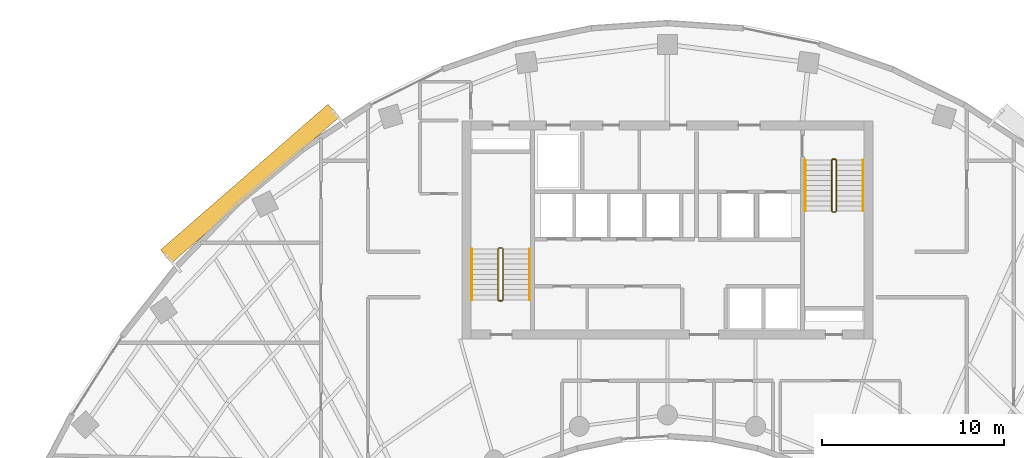
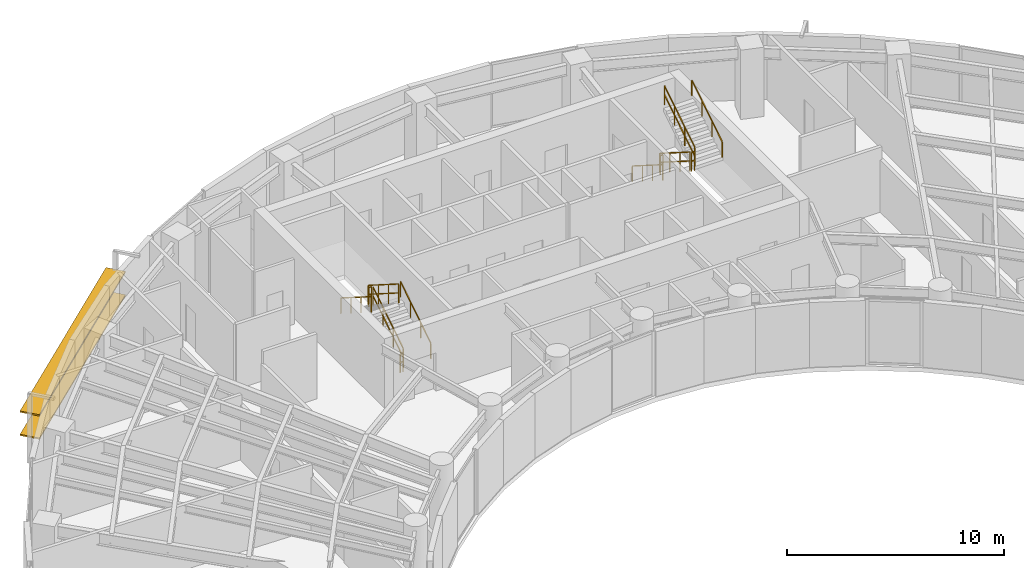
# One storey, part 12 of 13: 12 railings, 2 shading devices.
"""IFC4 building model written with IfcOpenShell, lengths in metres."""

from ifc_helpers import new_model, si_unit, direction, frame, origin, origin_2d, place, context, subcontext, project, spatial, rectangle, extrude, source, transform, mapped, material, material_profile, profile_set, type_object, type_shapes, element, save


model = new_model("IFC4")

# Units and contexts
model_context = context("Model", 3, precision=1e-05, world=origin(), true_north=direction((0.0, 1.0)))
body_context = subcontext(model_context, "Body", "Model", "MODEL_VIEW")
ifc_project = project(units=[si_unit("LENGTHUNIT", "METRE"), si_unit("AREAUNIT", "SQUARE_METRE"), si_unit("VOLUMEUNIT", "CUBIC_METRE"), si_unit("PLANEANGLEUNIT", "RADIAN"), si_unit("MASSUNIT", "GRAM", prefix="KILO")], contexts=[model_context])

# Site, building, storey
site_placement = place(None, origin())
site = spatial("IfcSite", under=ifc_project, at=site_placement, CompositionType="ELEMENT")
building_placement = place(site_placement, origin())
building = spatial("IfcBuilding", under=site, at=building_placement, Name="Breltana Convention Tower", CompositionType="ELEMENT")
storey_placement = place(building_placement, frame((0.0, 0.0, 170.10009765625)))
storey = spatial("IfcBuildingStorey", under=building, at=storey_placement, Name="L41", CompositionType="ELEMENT", Elevation=170.10009765625)

# Railings
ifc_material_1 = material(Name="Steel S275 Painted", Category="steel")
railing_type_1 = type_object("IfcRailingType", Name="RL-STAIR-GUARD-1100", PredefinedType="GUARDRAIL", material=ifc_material_1)
railing_1_placement = place(storey_placement, frame((38.9599609375, 62.360107421875, 0.17724609375)))
element("IfcRailing", 1, at=railing_1_placement, inside=storey, type_object=railing_type_1, Name="L41 ST-1 stair guard 1", PredefinedType="GUARDRAIL", context=body_context, shape_type="SweptSolid", body=[
    extrude(rectangle(XDim=0.048095703125, YDim=0.048095703125, at=origin_2d()), frame((0.0, 0.0, 1.076171875), z_axis=(0.0, 0.844887892834, 0.53494340686), x_axis=(-1.0, 0.0, 0.0)), (0.0, 0.0, 1.0), 3.313720703125),
    extrude(rectangle(XDim=0.048095703125, YDim=0.048095703125, at=origin_2d()), frame((0.0, 0.0, 0.572021484375), z_axis=(0.0, 0.844887892834, 0.53494340686), x_axis=(-1.0, 0.0, 0.0)), (0.0, 0.0, 1.0), 3.313720703125),
    extrude(rectangle(XDim=0.0419921875, YDim=0.0419921875, at=origin_2d()), origin(), (0.0, 0.0, 1.0), 1.052001953125),
    extrude(rectangle(XDim=0.0419921875, YDim=0.0419921875, at=origin_2d()), frame((0.0, 0.933349609375, 0.5908203125)), (0.0, 0.0, 1.0), 1.052001953125),
    extrude(rectangle(XDim=0.0419921875, YDim=0.0419921875, at=origin_2d()), frame((0.0, 1.866455078125, 1.181884765625)), (0.0, 0.0, 1.0), 1.052001953125),
    extrude(rectangle(XDim=0.0419921875, YDim=0.0419921875, at=origin_2d()), frame((0.0, 2.7998046875, 1.772705078125)), (0.0, 0.0, 1.0), 1.052001953125),
])
railing_2_placement = place(storey_placement, frame((38.909912109375, 65.2099609375, 1.949951171875)))
element("IfcRailing", 2, at=railing_2_placement, inside=storey, type_object=railing_type_1, Name="L41 ST-1 stair guard 2", PredefinedType="GUARDRAIL", context=body_context, shape_type="SweptSolid", body=[
    extrude(rectangle(XDim=0.048095703125, YDim=0.048095703125, at=origin_2d()), frame((0.0, 0.0, 1.076171875), z_axis=(-1.0, 0.0, 0.0), x_axis=(0.0, -1.0, 0.0)), (0.0, 0.0, 1.0), 0.14990234375),
    extrude(rectangle(XDim=0.048095703125, YDim=0.048095703125, at=origin_2d()), frame((0.0, 0.0, 0.572021484375), z_axis=(-1.0, 0.0, 0.0), x_axis=(0.0, -1.0, 0.0)), (0.0, 0.0, 1.0), 0.14990234375),
    extrude(rectangle(XDim=0.0419921875, YDim=0.0419921875, at=origin_2d()), origin(), (0.0, 0.0, 1.0), 1.052001953125),
    extrude(rectangle(XDim=0.0419921875, YDim=0.0419921875, at=origin_2d()), frame((-0.14990234375, 0.0, 0.0)), (0.0, 0.0, 1.0), 1.052001953125),
])
railing_3_placement = place(storey_placement, frame((38.7099609375, 65.159912109375, 2.127197265625)))
element("IfcRailing", 3, at=railing_3_placement, inside=storey, type_object=railing_type_1, Name="L41 ST-1 stair guard 3", PredefinedType="GUARDRAIL", context=body_context, shape_type="SweptSolid", body=[
    extrude(rectangle(XDim=0.048095703125, YDim=0.048095703125, at=origin_2d()), frame((0.0, 0.0, 1.076171875), z_axis=(0.0, -0.844887892834, 0.53494340686), x_axis=(1.0, 0.0, 0.0)), (0.0, 0.0, 1.0), 3.313720703125),
    extrude(rectangle(XDim=0.048095703125, YDim=0.048095703125, at=origin_2d()), frame((0.0, 0.0, 0.572021484375), z_axis=(0.0, -0.844887892834, 0.53494340686), x_axis=(1.0, 0.0, 0.0)), (0.0, 0.0, 1.0), 3.313720703125),
    extrude(rectangle(XDim=0.0419921875, YDim=0.0419921875, at=origin_2d()), origin(), (0.0, 0.0, 1.0), 1.052001953125),
    extrude(rectangle(XDim=0.0419921875, YDim=0.0419921875, at=origin_2d()), frame((0.0, -0.933349609375, 0.5908203125)), (0.0, 0.0, 1.0), 1.052001953125),
    extrude(rectangle(XDim=0.0419921875, YDim=0.0419921875, at=origin_2d()), frame((0.0, -1.866455078125, 1.181884765625)), (0.0, 0.0, 1.0), 1.052001953125),
    extrude(rectangle(XDim=0.0419921875, YDim=0.0419921875, at=origin_2d()), frame((0.0, -2.7998046875, 1.772705078125)), (0.0, 0.0, 1.0), 1.052001953125),
])
railing_4_placement = place(storey_placement, frame((38.909912109375, 62.31005859375, 0.0)))
element("IfcRailing", 4, at=railing_4_placement, inside=storey, type_object=railing_type_1, Name="L41 ST-1 stair guard 4", PredefinedType="GUARDRAIL", context=body_context, shape_type="SweptSolid", body=[
    extrude(rectangle(XDim=0.048095703125, YDim=0.048095703125, at=origin_2d()), frame((0.0, 0.0, 1.076171875), z_axis=(-1.0, 0.0, 0.0), x_axis=(0.0, -1.0, 0.0)), (0.0, 0.0, 1.0), 0.14990234375),
    extrude(rectangle(XDim=0.048095703125, YDim=0.048095703125, at=origin_2d()), frame((0.0, 0.0, 0.572021484375), z_axis=(-1.0, 0.0, 0.0), x_axis=(0.0, -1.0, 0.0)), (0.0, 0.0, 1.0), 0.14990234375),
    extrude(rectangle(XDim=0.0419921875, YDim=0.0419921875, at=origin_2d()), origin(), (0.0, 0.0, 1.0), 1.052001953125),
    extrude(rectangle(XDim=0.0419921875, YDim=0.0419921875, at=origin_2d()), frame((-0.14990234375, 0.0, 0.0)), (0.0, 0.0, 1.0), 1.052001953125),
])
railing_5_placement = place(storey_placement, frame((57.0400390625, 70.0400390625, 0.17724609375)))
element("IfcRailing", 5, at=railing_5_placement, inside=storey, type_object=railing_type_1, Name="L41 ST-2 stair guard 1", PredefinedType="GUARDRAIL", context=body_context, shape_type="SweptSolid", body=[
    extrude(rectangle(XDim=0.048095703125, YDim=0.048095703125, at=origin_2d()), frame((0.0, 0.0, 1.076171875), z_axis=(0.0, -0.844908973607, 0.534910110503), x_axis=(1.0, 0.0, 0.0)), (0.0, 0.0, 1.0), 3.31396484375),
    extrude(rectangle(XDim=0.048095703125, YDim=0.048095703125, at=origin_2d()), frame((0.0, 0.0, 0.572021484375), z_axis=(0.0, -0.844908973607, 0.534910110503), x_axis=(1.0, 0.0, 0.0)), (0.0, 0.0, 1.0), 3.31396484375),
    extrude(rectangle(XDim=0.0419921875, YDim=0.0419921875, at=origin_2d()), origin(), (0.0, 0.0, 1.0), 1.052001953125),
    extrude(rectangle(XDim=0.0419921875, YDim=0.0419921875, at=origin_2d()), frame((0.0, -0.933349609375, 0.5908203125)), (0.0, 0.0, 1.0), 1.052001953125),
    extrude(rectangle(XDim=0.0419921875, YDim=0.0419921875, at=origin_2d()), frame((0.0, -1.86669921875, 1.181884765625)), (0.0, 0.0, 1.0), 1.052001953125),
    extrude(rectangle(XDim=0.0419921875, YDim=0.0419921875, at=origin_2d()), frame((0.0, -2.800048828125, 1.772705078125)), (0.0, 0.0, 1.0), 1.052001953125),
])
railing_6_placement = place(storey_placement, frame((57.090087890625, 67.18994140625, 1.949951171875)))
element("IfcRailing", 6, at=railing_6_placement, inside=storey, type_object=railing_type_1, Name="L41 ST-2 stair guard 2", PredefinedType="GUARDRAIL", context=body_context, shape_type="SweptSolid", body=[
    extrude(rectangle(XDim=0.048095703125, YDim=0.048095703125, at=origin_2d()), frame((0.0, 0.0, 1.076171875), z_axis=(1.0, 0.0, 0.0), x_axis=(0.0, 1.0, 0.0)), (0.0, 0.0, 1.0), 0.14990234375),
    extrude(rectangle(XDim=0.048095703125, YDim=0.048095703125, at=origin_2d()), frame((0.0, 0.0, 0.572021484375), z_axis=(1.0, 0.0, 0.0), x_axis=(0.0, 1.0, 0.0)), (0.0, 0.0, 1.0), 0.14990234375),
    extrude(rectangle(XDim=0.0419921875, YDim=0.0419921875, at=origin_2d()), origin(), (0.0, 0.0, 1.0), 1.052001953125),
    extrude(rectangle(XDim=0.0419921875, YDim=0.0419921875, at=origin_2d()), frame((0.14990234375, 0.0, 0.0)), (0.0, 0.0, 1.0), 1.052001953125),
])
railing_7_placement = place(storey_placement, frame((57.2900390625, 67.239990234375, 2.127197265625)))
element("IfcRailing", 7, at=railing_7_placement, inside=storey, type_object=railing_type_1, Name="L41 ST-2 stair guard 3", PredefinedType="GUARDRAIL", context=body_context, shape_type="SweptSolid", body=[
    extrude(rectangle(XDim=0.048095703125, YDim=0.048095703125, at=origin_2d()), frame((0.0, 0.0, 1.076171875), z_axis=(0.0, 0.844908973607, 0.534910110503), x_axis=(-1.0, 0.0, 0.0)), (0.0, 0.0, 1.0), 3.31396484375),
    extrude(rectangle(XDim=0.048095703125, YDim=0.048095703125, at=origin_2d()), frame((0.0, 0.0, 0.572021484375), z_axis=(0.0, 0.844908973607, 0.534910110503), x_axis=(-1.0, 0.0, 0.0)), (0.0, 0.0, 1.0), 3.31396484375),
    extrude(rectangle(XDim=0.0419921875, YDim=0.0419921875, at=origin_2d()), origin(), (0.0, 0.0, 1.0), 1.052001953125),
    extrude(rectangle(XDim=0.0419921875, YDim=0.0419921875, at=origin_2d()), frame((0.0, 0.933349609375, 0.5908203125)), (0.0, 0.0, 1.0), 1.052001953125),
    extrude(rectangle(XDim=0.0419921875, YDim=0.0419921875, at=origin_2d()), frame((0.0, 1.86669921875, 1.181884765625)), (0.0, 0.0, 1.0), 1.052001953125),
    extrude(rectangle(XDim=0.0419921875, YDim=0.0419921875, at=origin_2d()), frame((0.0, 2.800048828125, 1.772705078125)), (0.0, 0.0, 1.0), 1.052001953125),
])
railing_8_placement = place(storey_placement, frame((57.090087890625, 70.090087890625, 0.0)))
element("IfcRailing", 8, at=railing_8_placement, inside=storey, type_object=railing_type_1, Name="L41 ST-2 stair guard 4", PredefinedType="GUARDRAIL", context=body_context, shape_type="SweptSolid", body=[
    extrude(rectangle(XDim=0.048095703125, YDim=0.048095703125, at=origin_2d()), frame((0.0, 0.0, 1.076171875), z_axis=(1.0, 0.0, 0.0), x_axis=(0.0, 1.0, 0.0)), (0.0, 0.0, 1.0), 0.14990234375),
    extrude(rectangle(XDim=0.048095703125, YDim=0.048095703125, at=origin_2d()), frame((0.0, 0.0, 0.572021484375), z_axis=(1.0, 0.0, 0.0), x_axis=(0.0, 1.0, 0.0)), (0.0, 0.0, 1.0), 0.14990234375),
    extrude(rectangle(XDim=0.0419921875, YDim=0.0419921875, at=origin_2d()), origin(), (0.0, 0.0, 1.0), 1.052001953125),
    extrude(rectangle(XDim=0.0419921875, YDim=0.0419921875, at=origin_2d()), frame((0.14990234375, 0.0, 0.0)), (0.0, 0.0, 1.0), 1.052001953125),
])
ifc_material_2 = material(Name="Stainless Steel 316L", Category="steel")
railing_type_2 = type_object("IfcRailingType", Name="RL-STAIR-HANDRAIL-900", PredefinedType="HANDRAIL", material=ifc_material_2)
railing_9_placement = place(storey_placement, frame((40.419921875, 62.360107421875, 0.17724609375)))
element("IfcRailing", 9, at=railing_9_placement, inside=storey, type_object=railing_type_2, Name="L41 ST-1 stair handrail 1", PredefinedType="HANDRAIL", context=body_context, shape_type="SweptSolid", body=[
    extrude(rectangle(XDim=0.048095703125, YDim=0.048095703125, at=origin_2d()), frame((0.0, 0.0, 0.8759765625), z_axis=(0.0, 0.844887892834, 0.53494340686), x_axis=(-1.0, 0.0, 0.0)), (0.0, 0.0, 1.0), 3.313720703125),
    extrude(rectangle(XDim=0.0419921875, YDim=0.0419921875, at=origin_2d()), origin(), (0.0, 0.0, 1.0), 0.851806640625),
    extrude(rectangle(XDim=0.0419921875, YDim=0.0419921875, at=origin_2d()), frame((0.0, 0.933349609375, 0.5908203125)), (0.0, 0.0, 1.0), 0.851806640625),
    extrude(rectangle(XDim=0.0419921875, YDim=0.0419921875, at=origin_2d()), frame((0.0, 1.866455078125, 1.181884765625)), (0.0, 0.0, 1.0), 0.851806640625),
    extrude(rectangle(XDim=0.0419921875, YDim=0.0419921875, at=origin_2d()), frame((0.0, 2.7998046875, 1.772705078125)), (0.0, 0.0, 1.0), 0.851806640625),
])
railing_10_placement = place(storey_placement, frame((37.25, 65.159912109375, 2.127197265625)))
element("IfcRailing", 10, at=railing_10_placement, inside=storey, type_object=railing_type_2, Name="L41 ST-1 stair handrail 2", PredefinedType="HANDRAIL", context=body_context, shape_type="SweptSolid", body=[
    extrude(rectangle(XDim=0.048095703125, YDim=0.048095703125, at=origin_2d()), frame((0.0, 0.0, 0.8759765625), z_axis=(0.0, -0.844887892834, 0.53494340686), x_axis=(1.0, 0.0, 0.0)), (0.0, 0.0, 1.0), 3.313720703125),
    extrude(rectangle(XDim=0.0419921875, YDim=0.0419921875, at=origin_2d()), origin(), (0.0, 0.0, 1.0), 0.851806640625),
    extrude(rectangle(XDim=0.0419921875, YDim=0.0419921875, at=origin_2d()), frame((0.0, -0.933349609375, 0.5908203125)), (0.0, 0.0, 1.0), 0.851806640625),
    extrude(rectangle(XDim=0.0419921875, YDim=0.0419921875, at=origin_2d()), frame((0.0, -1.866455078125, 1.181884765625)), (0.0, 0.0, 1.0), 0.851806640625),
    extrude(rectangle(XDim=0.0419921875, YDim=0.0419921875, at=origin_2d()), frame((0.0, -2.7998046875, 1.772705078125)), (0.0, 0.0, 1.0), 0.851806640625),
])
railing_11_placement = place(storey_placement, frame((55.580078125, 70.0400390625, 0.17724609375)))
element("IfcRailing", 11, at=railing_11_placement, inside=storey, type_object=railing_type_2, Name="L41 ST-2 stair handrail 1", PredefinedType="HANDRAIL", context=body_context, shape_type="SweptSolid", body=[
    extrude(rectangle(XDim=0.048095703125, YDim=0.048095703125, at=origin_2d()), frame((0.0, 0.0, 0.8759765625), z_axis=(0.0, -0.844908973607, 0.534910110503), x_axis=(1.0, 0.0, 0.0)), (0.0, 0.0, 1.0), 3.31396484375),
    extrude(rectangle(XDim=0.0419921875, YDim=0.0419921875, at=origin_2d()), origin(), (0.0, 0.0, 1.0), 0.851806640625),
    extrude(rectangle(XDim=0.0419921875, YDim=0.0419921875, at=origin_2d()), frame((0.0, -0.933349609375, 0.5908203125)), (0.0, 0.0, 1.0), 0.851806640625),
    extrude(rectangle(XDim=0.0419921875, YDim=0.0419921875, at=origin_2d()), frame((0.0, -1.86669921875, 1.181884765625)), (0.0, 0.0, 1.0), 0.851806640625),
    extrude(rectangle(XDim=0.0419921875, YDim=0.0419921875, at=origin_2d()), frame((0.0, -2.800048828125, 1.772705078125)), (0.0, 0.0, 1.0), 0.851806640625),
])
railing_12_placement = place(storey_placement, frame((58.75, 67.239990234375, 2.127197265625)))
element("IfcRailing", 12, at=railing_12_placement, inside=storey, type_object=railing_type_2, Name="L41 ST-2 stair handrail 2", PredefinedType="HANDRAIL", context=body_context, shape_type="SweptSolid", body=[
    extrude(rectangle(XDim=0.048095703125, YDim=0.048095703125, at=origin_2d()), frame((0.0, 0.0, 0.8759765625), z_axis=(0.0, 0.844908973607, 0.534910110503), x_axis=(-1.0, 0.0, 0.0)), (0.0, 0.0, 1.0), 3.31396484375),
    extrude(rectangle(XDim=0.0419921875, YDim=0.0419921875, at=origin_2d()), origin(), (0.0, 0.0, 1.0), 0.851806640625),
    extrude(rectangle(XDim=0.0419921875, YDim=0.0419921875, at=origin_2d()), frame((0.0, 0.933349609375, 0.5908203125)), (0.0, 0.0, 1.0), 0.851806640625),
    extrude(rectangle(XDim=0.0419921875, YDim=0.0419921875, at=origin_2d()), frame((0.0, 1.86669921875, 1.181884765625)), (0.0, 0.0, 1.0), 0.851806640625),
    extrude(rectangle(XDim=0.0419921875, YDim=0.0419921875, at=origin_2d()), frame((0.0, 2.800048828125, 1.772705078125)), (0.0, 0.0, 1.0), 0.851806640625),
])

# Shading devices
ifc_material_3 = material(Name="Limestone Warm Buff Honed", Category="masonry")
ifc_material_profile = material_profile(ifc_material_3, rectangle(XDim=0.949951171875, YDim=0.080078125, at=origin_2d()), Name="STN-LVR-950X80")
ifc_profile_set = profile_set([ifc_material_profile], Name="Limestone Warm Buff Honed")
shading_device_type = type_object("IfcShadingDeviceType", Name="SHD-OUTER-SKIN-LIMESTONE-950", PredefinedType="JALOUSIE", material=ifc_profile_set)
shared_shape = source(origin(), body_context, "Body", "SweptSolid", [
    extrude(rectangle(XDim=0.949951171875, YDim=0.080078125, at=origin_2d()), origin(), (0.0, 0.0, 1.0), 12.1943359375),
])
type_shapes(shading_device_type, [shared_shape])
for number, where, z_axis, x_axis, name in (
    (13, (20.451904296875, 64.74951171875, 1.31396484375), (0.754361083307, 0.656459713914, 0.0), (-0.656459713914, 0.754361083307, 0.0), "L41 outer skin warm limestone louvre 1.1"),
    (14, (20.451904296875, 64.74951171875, 2.6279296875), (0.754361083307, 0.656459713914, 0.0), (-0.656459713914, 0.754361083307, 0.0), "L41 outer skin warm limestone louvre 1.2"),
):
    element("IfcShadingDevice", number, at=place(storey_placement, frame(where, z_axis=z_axis, x_axis=x_axis)), inside=storey, type_object=shading_device_type, Name=name, PredefinedType="JALOUSIE", context=body_context, shape_type="MappedRepresentation", body=[
        mapped(shared_shape, transform((0.0, 0.0, 0.0), scale=1.0)),
    ])

save(model, "model.ifc")
